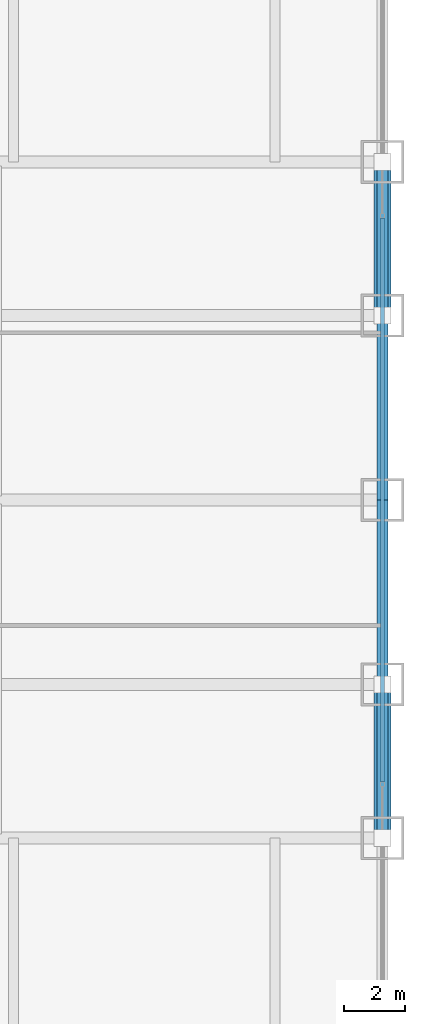
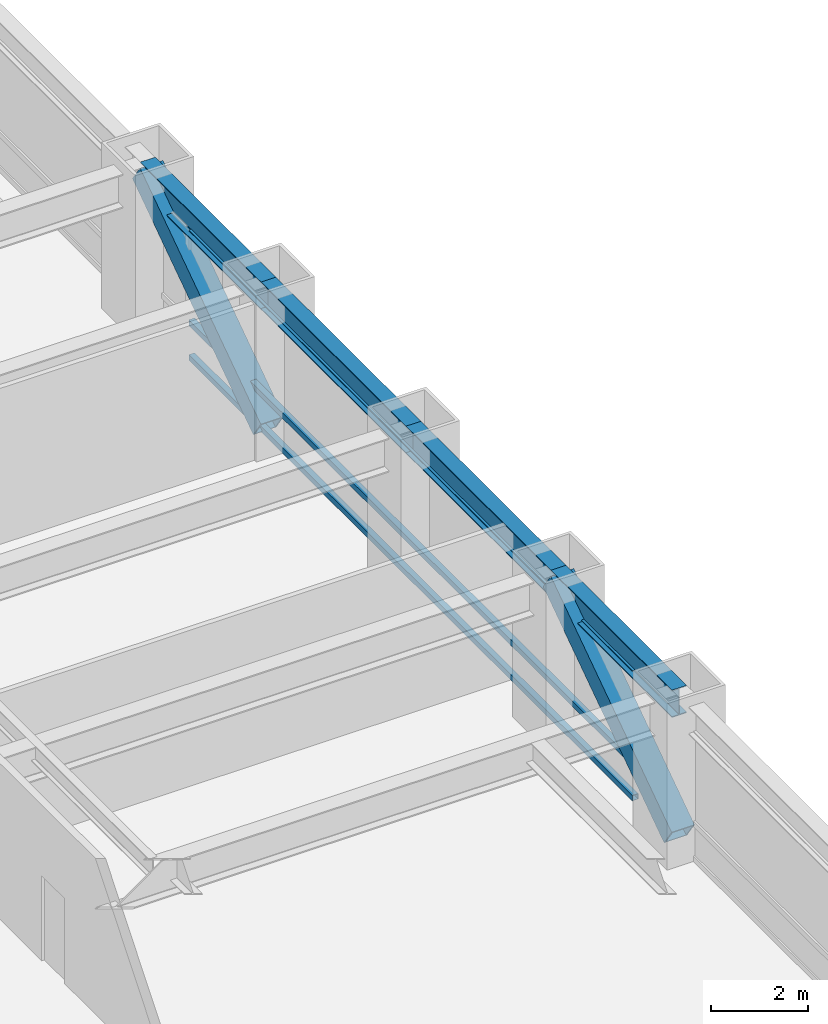
# One storey, part 17 of 31: 5 members, 4 beams, 1 element without a shape of its own.
"""IFC4 building model written with IfcOpenShell, lengths in metres."""

from ifc_helpers import new_model, si_unit, direction, frame, origin, origin_2d, place, context, subcontext, project, spatial, hollow_rectangle, i_section, extrude, source, transform, mapped, material, material_profile, profile_set, type_object, element, aggregate, save


model = new_model("IFC4")

# Units and contexts
model_context = context("Model", 3, precision=1e-05, world=origin(), true_north=direction((0.0, 1.0)))
body_context = subcontext(model_context, "Body", "Model", "MODEL_VIEW")
ifc_project = project(units=[si_unit("LENGTHUNIT", "METRE"), si_unit("AREAUNIT", "SQUARE_METRE"), si_unit("VOLUMEUNIT", "CUBIC_METRE"), si_unit("PLANEANGLEUNIT", "RADIAN"), si_unit("MASSUNIT", "GRAM", prefix="KILO")], contexts=[model_context])

# Site, building, storey
site_placement = place(None, origin())
site = spatial("IfcSite", under=ifc_project, at=site_placement, CompositionType="ELEMENT")
building_placement = place(site_placement, origin())
building = spatial("IfcBuilding", under=site, at=building_placement, Name="Khorayat Bourse Tower", CompositionType="ELEMENT")
storey_placement = place(building_placement, frame((0.0, 0.0, 36.800048828125)))
storey = spatial("IfcBuildingStorey", under=building, at=storey_placement, Name="L07", CompositionType="ELEMENT", Elevation=36.800048828125)

# Beams
ifc_material_1 = material(Name="Steel ASTM A992 Grade 50", Category="steel")
ifc_material_profile_1 = material_profile(ifc_material_1, i_section(OverallWidth=0.35498046875, OverallDepth=0.695068359375, WebThickness=0.015380859375, FlangeThickness=0.02490234375, FilletRadius=0.01806640625, at=origin_2d()), Name="W690X217")
ifc_profile_set_1 = profile_set([ifc_material_profile_1], Name="Steel ASTM A992 Grade 50")
beam_type = type_object("IfcBeamType", Name="BM-SPAN-690", PredefinedType="SPANDREL", material=ifc_profile_set_1)
shared_shape_1 = source(origin(), body_context, "Body", "SweptSolid", [
    extrude(i_section(OverallWidth=0.35498046875, OverallDepth=0.695068359375, WebThickness=0.015380859375, FlangeThickness=0.02490234375, FilletRadius=0.01806640625, at=origin_2d()), origin(), (0.0, 0.0, 1.0), 5.0),
])
for number, where, z_axis, x_axis, name in (
    (1, (32.0, -11.0, 3.592529296875), (0.0, 1.0, 0.0), (-1.0, 0.0, 0.0), "L07 BM-SPAN-690 BM-L07-SPN-036"),
    (2, (32.0, 6.0, 3.592529296875), (0.0, 1.0, 0.0), (-1.0, 0.0, 0.0), "L07 BM-SPAN-690 BM-L07-SPN-039"),
):
    element("IfcBeam", number, at=place(storey_placement, frame(where, z_axis=z_axis, x_axis=x_axis)), inside=storey, type_object=beam_type, Name=name, PredefinedType="SPANDREL", context=body_context, shape_type="MappedRepresentation", body=[
        mapped(shared_shape_1, transform((0.0, 0.0, 0.0), scale=1.0)),
    ])
shared_shape_2 = source(origin(), body_context, "Body", "SweptSolid", [
    extrude(i_section(OverallWidth=0.35498046875, OverallDepth=0.695068359375, WebThickness=0.015380859375, FlangeThickness=0.02490234375, FilletRadius=0.01806640625, at=origin_2d()), origin(), (0.0, 0.0, 1.0), 6.0),
])
for number, where, z_axis, x_axis, name in (
    (3, (32.0, -6.0, 3.592529296875), (0.0, 1.0, 0.0), (-1.0, 0.0, 0.0), "L07 BM-SPAN-690 BM-L07-SPN-037"),
    (4, (32.0, 0.0, 3.592529296875), (0.0, 1.0, 0.0), (-1.0, 0.0, 0.0), "L07 BM-SPAN-690 BM-L07-SPN-038"),
):
    element("IfcBeam", number, at=place(storey_placement, frame(where, z_axis=z_axis, x_axis=x_axis)), inside=storey, type_object=beam_type, Name=name, PredefinedType="SPANDREL", context=body_context, shape_type="MappedRepresentation", body=[
        mapped(shared_shape_2, transform((0.0, 0.0, 0.0), scale=1.0)),
    ])

# Members
ifc_material_2 = material(Name="Steel EN 10025-4 S460M", Category="steel")
ifc_material_profile_2 = material_profile(ifc_material_2, hollow_rectangle(XDim=0.550048828125, YDim=0.550048828125, WallThickness=0.031982421875, at=origin_2d()), Name="HSS 550x550x32")
ifc_profile_set_2 = profile_set([ifc_material_profile_2], Name="Steel EN 10025-4 S460M")
member_type_1 = type_object("IfcMemberType", Name="MBR-TUBE-550", PredefinedType="BRACE", material=ifc_profile_set_2)
shared_shape_3 = source(origin(), body_context, "Body", "SweptSolid", [
    extrude(hollow_rectangle(XDim=0.550048828125, YDim=0.550048828125, WallThickness=0.031982421875, at=origin_2d()), origin(), (0.0, 0.0, 1.0), 6.069091796875),
])
for number, where, z_axis, x_axis, name in (
    (5, (32.0, -11.0, 0.25), (0.0, 0.823854080622, 0.566801952928), (-1.0, 0.0, 0.0), "L07 Perimeter Tube Brace 07"),
    (6, (32.0, 6.0, 0.25), (0.0, 0.823854080622, 0.566801952928), (-1.0, 0.0, 0.0), "L07 Perimeter Tube Brace 08"),
):
    element("IfcMember", number, at=place(storey_placement, frame(where, z_axis=z_axis, x_axis=x_axis)), inside=storey, type_object=member_type_1, Name=name, PredefinedType="BRACE", context=body_context, shape_type="MappedRepresentation", body=[
        mapped(shared_shape_3, transform((0.0, 0.0, 0.0), scale=1.0)),
    ])

# Curtain wall, members
ifc_material_3 = material(Name="Aluminium EN AW-6063 T6", Category="aluminium")
curtain_wall_type = type_object("IfcCurtainWallType", Name="CW-SYS-02", PredefinedType="NOTDEFINED", material=ifc_material_3)
curtain_wall_placement = place(storey_placement, origin())
curtain_wall = element("IfcCurtainWall", 7, at=curtain_wall_placement, inside=storey, type_object=curtain_wall_type, Name="L07 Curtain Wall CW-L07-E1", PredefinedType="NOTDEFINED")
ifc_material_profile_3 = material_profile(ifc_material_3, hollow_rectangle(XDim=0.139892578125, YDim=0.139892578125, WallThickness=0.006103515625, at=origin_2d()), Name="ALU 140x140x6")
ifc_profile_set_3 = profile_set([ifc_material_profile_3], Name="Aluminium EN AW-6063 T6")
member_type_2 = type_object("IfcMemberType", Name="CWT-HORZ-140", PredefinedType="USERDEFINED", material=ifc_profile_set_3)
shared_shape_4 = source(origin(), body_context, "Body", "SweptSolid", [
    extrude(hollow_rectangle(XDim=0.139892578125, YDim=0.139892578125, WallThickness=0.006103515625, at=origin_2d()), origin(), (0.0, 0.0, 1.0), 18.35986328125),
])
member_1_placement = place(storey_placement, frame((32.0, -9.179931640625, 0.070068359375), z_axis=(0.0, 1.0, 0.0), x_axis=(-1.0, 0.0, 0.0)))
member_1 = element("IfcMember", 8, at=member_1_placement, type_object=member_type_2, Name="CW-L07-E1 Horizontal Transom 2-1", ObjectType="TRANSOM", PredefinedType="USERDEFINED", context=body_context, shape_type="MappedRepresentation", body=[
    mapped(shared_shape_4, transform((0.0, 0.0, 0.0), scale=1.0)),
])
member_2_placement = place(storey_placement, frame((32.0, -9.179931640625, 0.949951171875), z_axis=(0.0, 1.0, 0.0), x_axis=(-1.0, 0.0, 0.0)))
member_2 = element("IfcMember", 9, at=member_2_placement, type_object=member_type_2, Name="CW-L07-E1 Horizontal Transom 2-2", ObjectType="TRANSOM", PredefinedType="USERDEFINED", context=body_context, shape_type="MappedRepresentation", body=[
    mapped(shared_shape_4, transform((0.0, 0.0, 0.0), scale=1.0)),
])
member_3_placement = place(storey_placement, frame((32.0, -9.179931640625, 3.219970703125), z_axis=(0.0, 1.0, 0.0), x_axis=(-1.0, 0.0, 0.0)))
member_3 = element("IfcMember", 10, at=member_3_placement, type_object=member_type_2, Name="CW-L07-E1 Horizontal Transom 2-3", ObjectType="TRANSOM", PredefinedType="USERDEFINED", context=body_context, shape_type="MappedRepresentation", body=[
    mapped(shared_shape_4, transform((0.0, 0.0, 0.0), scale=1.0)),
])
aggregate(curtain_wall, [member_1, member_2, member_3])

save(model, "model.ifc")
